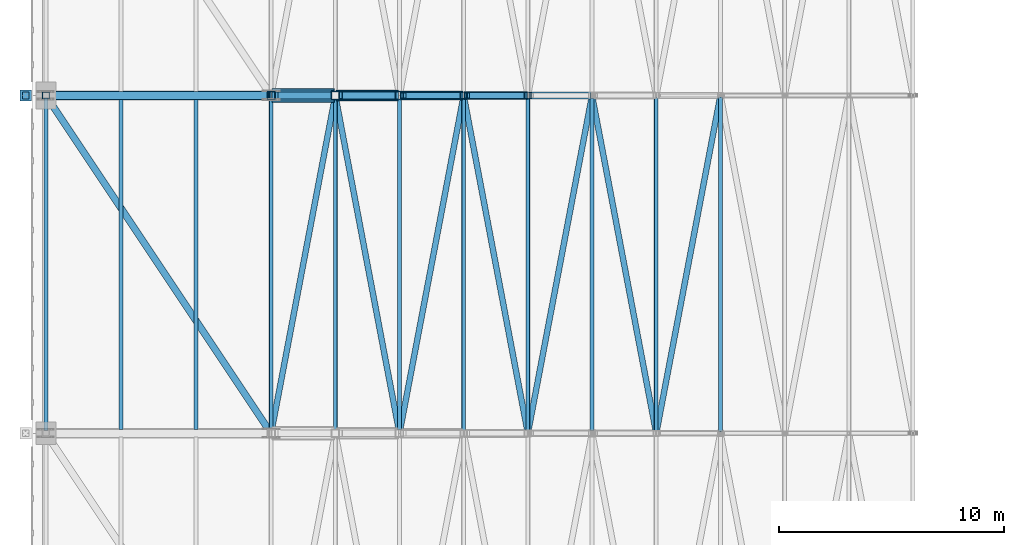
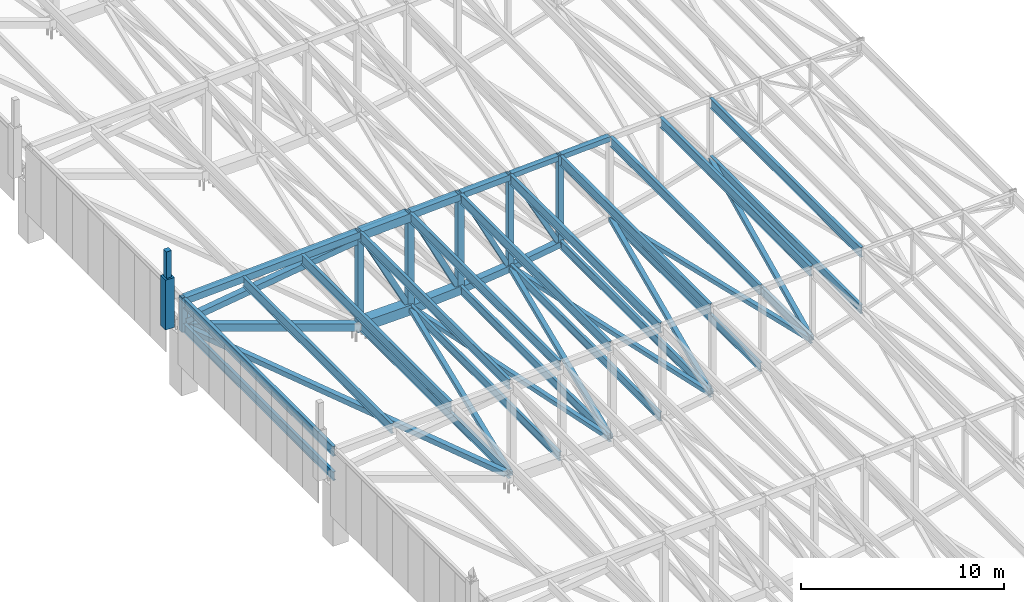
# One storey, part 38 of 278: 35 members, 17 beams.
"""IFC4 building model written with IfcOpenShell, lengths in metres."""

import ifcopenshell
import ifcopenshell.guid

model = None  # the IFC model being written
_history = None  # IfcOwnerHistory: only IFC2X3 demands one
_inside = {}  # id of a spatial element -> (the spatial element, [elements in it])
_under = {}  # id of a project, library or spatial element -> (it, [spatial elements below it])
_declared = {}  # id of a project -> (the project, [libraries it declares])
_typed = {}  # id of a type object -> (the type object, [elements of that type])
_made_of = {}  # id of a material, layer set ... -> (it, [elements and type objects made of it])


def new_model(schema):
    """Start an empty IFC model of exactly this schema.

    Asked for "IFC4X3", IfcOpenShell would pick the latest addendum, in which some entities
    have other attributes; the version numbers below select the first issue.
    IFC2X3 requires an IfcOwnerHistory on every rooted entity: one is made here for all.
    """
    global model, _history
    if schema == "IFC4X3":
        model = ifcopenshell.file(schema_version=(4, 3, 0, 0))
    else:
        model = ifcopenshell.file(schema=schema)
    _inside.clear()
    _under.clear()
    _declared.clear()
    _typed.clear()
    _made_of.clear()
    _history = None
    if model.schema == "IFC2X3":
        org = make("IfcOrganization", Name="unknown")
        user = make(
            "IfcPersonAndOrganization",
            ThePerson=make("IfcPerson", FamilyName="unknown"),
            TheOrganization=org,
        )
        app = make(
            "IfcApplication",
            ApplicationDeveloper=org,
            Version="unknown",
            ApplicationFullName="unknown",
            ApplicationIdentifier="unknown",
        )
        _history = make(
            "IfcOwnerHistory",
            OwningUser=user,
            OwningApplication=app,
            ChangeAction="ADDED",
            CreationDate=0,
        )
    return model


def make(cls, **values):
    """One entity of the class cls with the attributes given. An attribute that is None is left unset."""
    return model.create_entity(
        cls, **{name: value for name, value in values.items() if value is not None}
    )


def rooted(cls, **values):
    """An entity with a GlobalId (a new one), such as an element, a storey or a relation."""
    return make(cls, GlobalId=ifcopenshell.guid.new(), OwnerHistory=_history, **values)


def si_unit(unit_type, name, prefix=None):
    """IfcSIUnit, for example si_unit("LENGTHUNIT", "METRE", prefix="MILLI")."""
    return make("IfcSIUnit", UnitType=unit_type, Prefix=prefix, Name=name)


def assignment(units):
    """IfcUnitAssignment: the units of a project."""
    return None if units is None else make("IfcUnitAssignment", Units=units)


def point(xyz):
    """IfcCartesianPoint."""
    return None if xyz is None else make("IfcCartesianPoint", Coordinates=xyz)


def direction(xyz):
    """IfcDirection."""
    return None if xyz is None else make("IfcDirection", DirectionRatios=xyz)


def frame(location, z_axis=None, x_axis=None):
    """IfcAxis2Placement3D, a coordinate frame: its origin and axes. An axis left out is left unset."""
    return make(
        "IfcAxis2Placement3D",
        Location=point(location),
        Axis=direction(z_axis),
        RefDirection=direction(x_axis),
    )


def frame_2d(location, x_axis=None):
    """IfcAxis2Placement2D, a coordinate frame in the plane: its origin and x axis."""
    return make(
        "IfcAxis2Placement2D", Location=point(location), RefDirection=direction(x_axis)
    )


def origin():
    """The frame at (0, 0, 0) with its axes left unset."""
    return frame((0.0, 0.0, 0.0))


def origin_2d():
    """The frame at (0, 0) in the plane with its x axis left unset."""
    return frame_2d((0.0, 0.0))


def place(relative_to, where):
    """IfcLocalPlacement: puts the frame where relative to a parent placement (None: the world)."""
    return make(
        "IfcLocalPlacement", PlacementRelTo=relative_to, RelativePlacement=where
    )


def context(
    kind, dimensions, precision=None, world=None, true_north=None, identifier=None
):
    """IfcGeometricRepresentationContext, for example the 3D "Model" context."""
    return make(
        "IfcGeometricRepresentationContext",
        ContextIdentifier=identifier,
        ContextType=kind,
        CoordinateSpaceDimension=dimensions,
        Precision=precision,
        WorldCoordinateSystem=world,
        TrueNorth=true_north,
    )


def subcontext(parent, identifier, kind, view, scale=None):
    """IfcGeometricRepresentationSubContext, for example "Body" below "Model"."""
    return make(
        "IfcGeometricRepresentationSubContext",
        ContextIdentifier=identifier,
        ContextType=kind,
        ParentContext=parent,
        TargetScale=scale,
        TargetView=view,
    )


def project(units=None, contexts=None):
    """IfcProject with its units and contexts."""
    return rooted(
        "IfcProject",
        Name="project",
        RepresentationContexts=contexts,
        UnitsInContext=assignment(units),
    )


def spatial(cls, under=None, at=None, **own):
    """A site, building, storey or space (cls), placed at a placement, below another one or the project."""
    s = rooted(cls, ObjectPlacement=at, **own)
    if under is not None:
        _under.setdefault(under.id(), (under, []))[1].append(s)
    return s


def profile(cls, at=None, kind="AREA", **sizes):
    """A parametric profile (cls). Its sizes go by their IFC names, for example OverallWidth=200.0."""
    return make(cls, ProfileType=kind, Position=at, **sizes)


def rectangle(**sizes):
    """IfcRectangleProfileDef."""
    return profile("IfcRectangleProfileDef", **sizes)


def hollow_rectangle(**sizes):
    """IfcRectangleHollowProfileDef."""
    return profile("IfcRectangleHollowProfileDef", **sizes)


def i_section(**sizes):
    """IfcIShapeProfileDef."""
    return profile("IfcIShapeProfileDef", **sizes)


def extrude(swept, where, along, depth):
    """IfcExtrudedAreaSolid: the profile swept, set in the frame where, extruded along a direction by depth."""
    return make(
        "IfcExtrudedAreaSolid",
        SweptArea=swept,
        Position=where,
        ExtrudedDirection=direction(along),
        Depth=depth,
    )


def shape(context_of_items, identifier, shape_type, items):
    """IfcShapeRepresentation: the items that make up one representation, for example the "Body"."""
    return make(
        "IfcShapeRepresentation",
        ContextOfItems=context_of_items,
        RepresentationIdentifier=identifier,
        RepresentationType=shape_type,
        Items=items,
    )


def material(Name=None, Category=None):
    """IfcMaterial."""
    return make("IfcMaterial", Name=Name, Category=Category)


def material_profile(
    of_material, cross_section, Name=None, Category=None, Priority=None
):
    """IfcMaterialProfile: a cross section and its material."""
    return make(
        "IfcMaterialProfile",
        Name=Name,
        Material=of_material,
        Profile=cross_section,
        Priority=Priority,
        Category=Category,
    )


def profile_set(profiles, Name=None, composite=None):
    """IfcMaterialProfileSet."""
    return make(
        "IfcMaterialProfileSet",
        Name=Name,
        MaterialProfiles=profiles,
        CompositeProfile=composite,
    )


def made_of(thing, what):
    """Note that an element or type object is made of a material, layer set ...; save() writes the relation."""
    if what is not None:
        _made_of.setdefault(what.id(), (what, []))[1].append(thing)
    return thing


def type_object(cls, material=None, **own):
    """A type object (cls), such as IfcWallType, which elements share."""
    return made_of(rooted(cls, **own), material)


def element(
    cls,
    number,
    at=None,
    inside=None,
    cuts=None,
    type_object=None,
    material=None,
    context=None,
    identifier="Body",
    shape_type=None,
    held_by="IfcProductDefinitionShape",
    body=None,
    shapes=None,
    **own,
):
    """One element of the class cls, such as IfcWall. Its Tag is "e" and its number.

    at: its placement. inside: the storey or other place that contains it. cuts: it is an
    opening in that element (IfcRelVoidsElement). A single representation is given by context,
    identifier, shape_type and body (its items); several are given by shapes. held_by: the class
    of the entity that holds the representations. save() writes the other relations.
    """
    e = rooted(cls, Tag="e%d" % number, ObjectPlacement=at, **own)
    if body is not None:
        shapes = [shape(context, identifier, shape_type, body)]
    if shapes is not None:
        e.Representation = make(held_by, Representations=shapes)
    if inside is not None:
        _inside.setdefault(inside.id(), (inside, []))[1].append(e)
    if cuts is not None:
        rooted(
            "IfcRelVoidsElement", RelatingBuildingElement=cuts, RelatedOpeningElement=e
        )
    if type_object is not None:
        _typed.setdefault(type_object.id(), (type_object, []))[1].append(e)
    return made_of(e, material)


def aggregate(whole, parts):
    """IfcRelAggregates: a whole, such as a stair, and the parts it consists of."""
    return rooted("IfcRelAggregates", RelatingObject=whole, RelatedObjects=parts)


def save(model, path):
    """Write the relations noted so far, then the file.

    IfcRelAggregates (storeys below a building ...), IfcRelContainedInSpatialStructure (elements
    in a storey), IfcRelDefinesByType, IfcRelAssociatesMaterial and IfcRelDeclares: one each for
    every whole, place, type object, material and project.
    """
    for whole, parts in _under.values():
        aggregate(whole, parts)
    for where, things in _inside.values():
        rooted(
            "IfcRelContainedInSpatialStructure",
            RelatedElements=things,
            RelatingStructure=where,
        )
    for kind, things in _typed.values():
        rooted("IfcRelDefinesByType", RelatedObjects=things, RelatingType=kind)
    for what, things in _made_of.values():
        rooted("IfcRelAssociatesMaterial", RelatedObjects=things, RelatingMaterial=what)
    for by, libraries in _declared.values():
        rooted("IfcRelDeclares", RelatingContext=by, RelatedDefinitions=libraries)
    model.write(path)


model = new_model("IFC4")

# Units and contexts
model_context = context("Model", 3, precision=1e-05, world=origin(), true_north=direction((0.0, 1.0)))
body_context = subcontext(model_context, "Body", "Model", "MODEL_VIEW")
ifc_project = project(units=[si_unit("LENGTHUNIT", "METRE"), si_unit("AREAUNIT", "SQUARE_METRE"), si_unit("VOLUMEUNIT", "CUBIC_METRE"), si_unit("PLANEANGLEUNIT", "RADIAN"), si_unit("MASSUNIT", "GRAM", prefix="KILO")], contexts=[model_context])

# Site, building, storey
site_placement = place(None, origin())
site = spatial("IfcSite", under=ifc_project, at=site_placement, CompositionType="ELEMENT")
building_placement = place(site_placement, origin())
building = spatial("IfcBuilding", under=site, at=building_placement, Name="Ogive Plaza Stadium", CompositionType="ELEMENT")
storey_placement = place(building_placement, frame((0.0, 0.0, 29.0)))
storey = spatial("IfcBuildingStorey", under=building, at=storey_placement, Name="Roof", CompositionType="ELEMENT", Elevation=29.0)

# Members
ifc_material_1 = material(Name="Concrete C45/55 precast", Category="concrete")
ifc_material_profile_1 = material_profile(ifc_material_1, rectangle(XDim=0.5, YDim=0.5, at=origin_2d()), Name="RC 500x500")
ifc_profile_set_1 = profile_set([ifc_material_profile_1], Name="Concrete C45/55 precast")
member_type_1 = type_object("IfcMemberType", Name="Precast pinnacle 500x500", PredefinedType="POST", material=ifc_profile_set_1)
member_1_placement = place(storey_placement, frame((-84.89990234375, 22.5, 4.0), z_axis=(0.0, 0.0, 1.0), x_axis=(0.0, -1.0, 0.0)))
element("IfcMember", 1, at=member_1_placement, inside=storey, type_object=member_type_1, Name="PINNACLE R26", PredefinedType="POST", context=body_context, shape_type="SweptSolid", body=[
    extrude(rectangle(XDim=0.5, YDim=0.5, at=origin_2d()), origin(), (0.0, 0.0, 1.0), 3.0),
])
ifc_material_2 = material(Name="Concrete C45/55 precast", Category="concrete")
ifc_material_profile_2 = material_profile(ifc_material_2, rectangle(XDim=0.300048828125, YDim=0.300048828125, at=origin_2d()), Name="RC 300x300")
ifc_profile_set_2 = profile_set([ifc_material_profile_2], Name="Concrete C45/55 precast")
member_type_2 = type_object("IfcMemberType", Name="Precast spire 300x300", PredefinedType="MEMBER", material=ifc_profile_set_2)
member_2_placement = place(storey_placement, frame((-84.89990234375, 22.5, 7.0), z_axis=(0.0, 0.0, 1.0), x_axis=(0.0, -1.0, 0.0)))
element("IfcMember", 2, at=member_2_placement, inside=storey, type_object=member_type_2, Name="SPIRE R26", PredefinedType="MEMBER", context=body_context, shape_type="SweptSolid", body=[
    extrude(rectangle(XDim=0.300048828125, YDim=0.300048828125, at=origin_2d()), origin(), (0.0, 0.0, 1.0), 1.60009765625),
])
ifc_material_3 = material(Name="Steel ASTM A500 Grade C", Category="steel")
ifc_material_profile_3 = material_profile(ifc_material_3, hollow_rectangle(XDim=0.25390625, YDim=0.25390625, WallThickness=0.0087890625, at=origin_2d()), Name="HSS10X10X3/8")
ifc_profile_set_3 = profile_set([ifc_material_profile_3], Name="Steel ASTM A500 Grade C")
member_type_3 = type_object("IfcMemberType", Name="Roof plan brace HSS10X10X3/8", PredefinedType="BRACE", material=ifc_profile_set_3)
member_3_placement = place(storey_placement, frame((-54.068115234375, 22.404052734375, 3.27001953125), z_axis=(-0.186406461707, -0.981044003163, -0.052965034622), x_axis=(0.982422964001, -0.186668475654, 0.0)))
element("IfcMember", 3, at=member_3_placement, inside=storey, type_object=member_type_3, Name="ROOF BRACE B25 4", PredefinedType="BRACE", context=body_context, shape_type="SweptSolid", body=[
    extrude(hollow_rectangle(XDim=0.25390625, YDim=0.25390625, WallThickness=0.0087890625, at=origin_2d()), origin(), (0.0, 0.0, 1.0), 15.068359375),
])
member_4_placement = place(storey_placement, frame((-56.923095703125, 7.621337890625, 2.459716796875), z_axis=(-0.186461324063, 0.981373677857, -0.046237204039), x_axis=(-0.982424391989, -0.186660960097, 0.0)))
element("IfcMember", 4, at=member_4_placement, inside=storey, type_object=member_type_3, Name="ROOF BRACE B25 5", PredefinedType="BRACE", context=body_context, shape_type="SweptSolid", body=[
    extrude(hollow_rectangle(XDim=0.25390625, YDim=0.25390625, WallThickness=0.0087890625, at=origin_2d()), origin(), (0.0, 0.0, 1.0), 15.011474609375),
])
member_5_placement = place(storey_placement, frame((-59.77783203125, 22.353271484375, 1.753173828125), z_axis=(-0.186534960176, -0.981781820104, -0.036182403809), x_axis=(0.982425109661, -0.186657182843, 0.0)))
element("IfcMember", 5, at=member_5_placement, inside=storey, type_object=member_type_3, Name="ROOF BRACE B25 6", PredefinedType="BRACE", context=body_context, shape_type="SweptSolid", body=[
    extrude(hollow_rectangle(XDim=0.25390625, YDim=0.25390625, WallThickness=0.0087890625, at=origin_2d()), origin(), (0.0, 0.0, 1.0), 14.9794921875),
])
member_6_placement = place(storey_placement, frame((-62.6279296875, 7.646728515625, 1.20166015625), z_axis=(-0.186585145076, 0.982045956233, -0.027779911508), x_axis=(-0.982425109661, -0.186657182843, 0.0)))
element("IfcMember", 6, at=member_6_placement, inside=storey, type_object=member_type_3, Name="ROOF BRACE B25 7", PredefinedType="BRACE", context=body_context, shape_type="SweptSolid", body=[
    extrude(hollow_rectangle(XDim=0.25390625, YDim=0.25390625, WallThickness=0.0087890625, at=origin_2d()), origin(), (0.0, 0.0, 1.0), 14.975341796875),
])
member_7_placement = place(storey_placement, frame((-65.477783203125, 22.353271484375, 0.77880859375), z_axis=(-0.186639895054, -0.982268812283, -0.017706778071), x_axis=(0.982422833867, -0.186669160538, 0.0)))
element("IfcMember", 7, at=member_7_placement, inside=storey, type_object=member_type_3, Name="ROOF BRACE B25 8", PredefinedType="BRACE", context=body_context, shape_type="SweptSolid", body=[
    extrude(hollow_rectangle(XDim=0.25390625, YDim=0.25390625, WallThickness=0.0087890625, at=origin_2d()), origin(), (0.0, 0.0, 1.0), 14.946044921875),
])
member_8_placement = place(storey_placement, frame((-68.332763671875, 7.672119140625, 0.50927734375), z_axis=(-0.186657320186, 0.982381109131, -0.009295226886), x_axis=(-0.982423551356, -0.186665384421, 0.0)))
element("IfcMember", 8, at=member_8_placement, inside=storey, type_object=member_type_3, Name="ROOF BRACE B25 9", PredefinedType="BRACE", context=body_context, shape_type="SweptSolid", body=[
    extrude(hollow_rectangle(XDim=0.25390625, YDim=0.25390625, WallThickness=0.0087890625, at=origin_2d()), origin(), (0.0, 0.0, 1.0), 14.918701171875),
])
member_9_placement = place(storey_placement, frame((-71.1826171875, 22.327880859375, 0.368408203125), z_axis=(-0.186663720517, -0.982414794197, -0.004222272479), x_axis=(0.982423551356, -0.186665384421, 0.0)))
element("IfcMember", 9, at=member_9_placement, inside=storey, type_object=member_type_3, Name="ROOF BRACE B25 10", PredefinedType="BRACE", context=body_context, shape_type="SweptSolid", body=[
    extrude(hollow_rectangle(XDim=0.25390625, YDim=0.25390625, WallThickness=0.0087890625, at=origin_2d()), origin(), (0.0, 0.0, 1.0), 14.918212890625),
])
ifc_material_4 = material(Name="Steel ASTM A500 Grade C", Category="steel")
ifc_material_profile_4 = material_profile(ifc_material_4, hollow_rectangle(XDim=0.3046875, YDim=0.3046875, WallThickness=0.0087890625, at=origin_2d()), Name="HSS12X12X3/8")
ifc_profile_set_4 = profile_set([ifc_material_profile_4], Name="Steel ASTM A500 Grade C")
member_type_4 = type_object("IfcMemberType", Name="Roof plan brace HSS12X12X3/8", PredefinedType="BRACE", material=ifc_profile_set_4)
member_10_placement = place(storey_placement, frame((-74.158203125, 7.7373046875, 0.358642578125), z_axis=(-0.545096233751, 0.817651210116, 0.185247387419), x_axis=(-0.832052442118, -0.554696974542, 0.0)))
element("IfcMember", 10, at=member_10_placement, inside=storey, type_object=member_type_4, Name="ROOF BRACE B25 11", PredefinedType="BRACE", context=body_context, shape_type="SweptSolid", body=[
    extrude(hollow_rectangle(XDim=0.3046875, YDim=0.3046875, WallThickness=0.0087890625, at=origin_2d()), origin(), (0.0, 0.0, 1.0), 17.7958984375),
])
ifc_material_5 = material(Name="Steel ASTM A992 Grade 50", Category="steel")
ifc_material_profile_5 = material_profile(ifc_material_5, i_section(OverallWidth=0.1650390625, OverallDepth=0.524658203125, WebThickness=0.0087890625, FlangeThickness=0.011474609375, at=origin_2d()), Name="W21X44")
ifc_profile_set_5 = profile_set([ifc_material_profile_5], Name="Steel ASTM A992 Grade 50")
member_type_5 = type_object("IfcMemberType", Name="Roof plan strut W21X44", PredefinedType="STRUT", material=ifc_profile_set_5)
member_11_placement = place(storey_placement, frame((-54.050048828125, 7.571533203125, 3.275146484375), z_axis=(0.0, 1.0, 0.0), x_axis=(-1.0, 0.0, 0.0)))
element("IfcMember", 11, at=member_11_placement, inside=storey, type_object=member_type_5, Name="ROOF STRUT B25 3", PredefinedType="STRUT", context=body_context, shape_type="SweptSolid", body=[
    extrude(i_section(OverallWidth=0.1650390625, OverallDepth=0.524658203125, WebThickness=0.0087890625, FlangeThickness=0.011474609375, at=origin_2d()), origin(), (0.0, 0.0, 1.0), 14.85693359375),
])
member_12_placement = place(storey_placement, frame((-56.89990234375, 7.596923828125, 2.46533203125), z_axis=(0.0, 1.0, 0.0), x_axis=(-1.0, 0.0, 0.0)))
element("IfcMember", 12, at=member_12_placement, inside=storey, type_object=member_type_5, Name="ROOF STRUT B25 4", PredefinedType="STRUT", context=body_context, shape_type="SweptSolid", body=[
    extrude(i_section(OverallWidth=0.1650390625, OverallDepth=0.524658203125, WebThickness=0.0087890625, FlangeThickness=0.011474609375, at=origin_2d()), origin(), (0.0, 0.0, 1.0), 14.80615234375),
])
for number, where, z_axis, x_axis, name in (
    (13, (-59.75, 7.622314453125, 1.758544921875), (0.0, 1.0, 0.0), (-1.0, 0.0, 0.0), "ROOF STRUT B25 5"),
    (14, (-62.60009765625, 7.622314453125, 1.205810546875), (0.0, 1.0, 0.0), (-1.0, 0.0, 0.0), "ROOF STRUT B25 6"),
    (15, (-65.449951171875, 7.622314453125, 0.781494140625), (0.0, 1.0, 0.0), (-1.0, 0.0, 0.0), "ROOF STRUT B25 7"),
):
    element("IfcMember", number, at=place(storey_placement, frame(where, z_axis=z_axis, x_axis=x_axis)), inside=storey, type_object=member_type_5, Name=name, PredefinedType="STRUT", context=body_context, shape_type="SweptSolid", body=[
        extrude(i_section(OverallWidth=0.1650390625, OverallDepth=0.524658203125, WebThickness=0.0087890625, FlangeThickness=0.011474609375, at=origin_2d()), origin(), (0.0, 0.0, 1.0), 14.75537109375),
    ])
for number, where, z_axis, x_axis, name in (
    (16, (-68.300048828125, 7.647705078125, 0.510986328125), (0.0, 1.0, 0.0), (-1.0, 0.0, 0.0), "ROOF STRUT B25 8"),
    (17, (-71.14990234375, 7.647705078125, 0.369140625), (0.0, 1.0, 0.0), (-1.0, 0.0, 0.0), "ROOF STRUT B25 9"),
    (18, (-74.0, 7.647705078125, 0.3046875), (0.0, 1.0, 0.0), (-1.0, 0.0, 0.0), "ROOF STRUT B25 10"),
):
    element("IfcMember", number, at=place(storey_placement, frame(where, z_axis=z_axis, x_axis=x_axis)), inside=storey, type_object=member_type_5, Name=name, PredefinedType="STRUT", context=body_context, shape_type="SweptSolid", body=[
        extrude(i_section(OverallWidth=0.1650390625, OverallDepth=0.524658203125, WebThickness=0.0087890625, FlangeThickness=0.011474609375, at=origin_2d()), origin(), (0.0, 0.0, 1.0), 14.70458984375),
    ])
member_13_placement = place(storey_placement, frame((-84.0, 7.622314453125, 3.703125), z_axis=(0.0, 1.0, 0.0), x_axis=(-1.0, 0.0, 0.0)))
element("IfcMember", 19, at=member_13_placement, inside=storey, type_object=member_type_5, Name="ROOF STRUT B25 11", PredefinedType="STRUT", context=body_context, shape_type="SweptSolid", body=[
    extrude(i_section(OverallWidth=0.1650390625, OverallDepth=0.524658203125, WebThickness=0.0087890625, FlangeThickness=0.011474609375, at=origin_2d()), origin(), (0.0, 0.0, 1.0), 14.75537109375),
])
ifc_material_6 = material(Name="Steel ASTM A992 Grade 50", Category="steel")
ifc_material_profile_6 = material_profile(ifc_material_6, i_section(OverallWidth=0.177978515625, OverallDepth=0.5986328125, WebThickness=0.010009765625, FlangeThickness=0.012939453125, at=origin_2d()), Name="W24X55")
ifc_profile_set_6 = profile_set([ifc_material_profile_6], Name="Steel ASTM A992 Grade 50")
member_type_6 = type_object("IfcMemberType", Name="Roof purlin W24X55", PredefinedType="PURLIN", material=ifc_profile_set_6)
member_14_placement = place(storey_placement, frame((-54.050048828125, 7.571533203125, 6.6982421875), z_axis=(0.0, 1.0, 0.0), x_axis=(-1.0, 0.0, 0.0)))
element("IfcMember", 20, at=member_14_placement, inside=storey, type_object=member_type_6, Name="ROOF PURLIN B25 3", PredefinedType="PURLIN", context=body_context, shape_type="SweptSolid", body=[
    extrude(i_section(OverallWidth=0.177978515625, OverallDepth=0.5986328125, WebThickness=0.010009765625, FlangeThickness=0.012939453125, at=origin_2d()), origin(), (0.0, 0.0, 1.0), 14.85693359375),
])
member_15_placement = place(storey_placement, frame((-56.89990234375, 7.596923828125, 6.5556640625), z_axis=(0.0, 1.0, 0.0), x_axis=(-1.0, 0.0, 0.0)))
element("IfcMember", 21, at=member_15_placement, inside=storey, type_object=member_type_6, Name="ROOF PURLIN B25 4", PredefinedType="PURLIN", context=body_context, shape_type="SweptSolid", body=[
    extrude(i_section(OverallWidth=0.177978515625, OverallDepth=0.5986328125, WebThickness=0.010009765625, FlangeThickness=0.012939453125, at=origin_2d()), origin(), (0.0, 0.0, 1.0), 14.80615234375),
])
for number, where, z_axis, x_axis, name in (
    (22, (-59.75, 7.622314453125, 6.4130859375), (0.0, 1.0, 0.0), (-1.0, 0.0, 0.0), "ROOF PURLIN B25 5"),
    (23, (-62.60009765625, 7.622314453125, 6.270751953125), (0.0, 1.0, 0.0), (-1.0, 0.0, 0.0), "ROOF PURLIN B25 6"),
    (24, (-65.449951171875, 7.622314453125, 6.128173828125), (0.0, 1.0, 0.0), (-1.0, 0.0, 0.0), "ROOF PURLIN B25 7"),
):
    element("IfcMember", number, at=place(storey_placement, frame(where, z_axis=z_axis, x_axis=x_axis)), inside=storey, type_object=member_type_6, Name=name, PredefinedType="PURLIN", context=body_context, shape_type="SweptSolid", body=[
        extrude(i_section(OverallWidth=0.177978515625, OverallDepth=0.5986328125, WebThickness=0.010009765625, FlangeThickness=0.012939453125, at=origin_2d()), origin(), (0.0, 0.0, 1.0), 14.75537109375),
    ])
for number, where, z_axis, x_axis, name in (
    (25, (-68.300048828125, 7.647705078125, 5.985595703125), (0.0, 1.0, 0.0), (-1.0, 0.0, 0.0), "ROOF PURLIN B25 8"),
    (26, (-71.14990234375, 7.647705078125, 5.84326171875), (0.0, 1.0, 0.0), (-1.0, 0.0, 0.0), "ROOF PURLIN B25 9"),
    (27, (-74.0, 7.647705078125, 5.70068359375), (0.0, 1.0, 0.0), (-1.0, 0.0, 0.0), "ROOF PURLIN B25 10"),
):
    element("IfcMember", number, at=place(storey_placement, frame(where, z_axis=z_axis, x_axis=x_axis)), inside=storey, type_object=member_type_6, Name=name, PredefinedType="PURLIN", context=body_context, shape_type="SweptSolid", body=[
        extrude(i_section(OverallWidth=0.177978515625, OverallDepth=0.5986328125, WebThickness=0.010009765625, FlangeThickness=0.012939453125, at=origin_2d()), origin(), (0.0, 0.0, 1.0), 14.70458984375),
    ])
for number, where, z_axis, x_axis, name in (
    (28, (-77.333251953125, 7.673095703125, 5.533935546875), (0.0, 1.0, 0.0), (-1.0, 0.0, 0.0), "ROOF PURLIN B25 11"),
    (29, (-80.666748046875, 7.673095703125, 5.367431640625), (0.0, 1.0, 0.0), (-1.0, 0.0, 0.0), "ROOF PURLIN B25 12"),
):
    element("IfcMember", number, at=place(storey_placement, frame(where, z_axis=z_axis, x_axis=x_axis)), inside=storey, type_object=member_type_6, Name=name, PredefinedType="PURLIN", context=body_context, shape_type="SweptSolid", body=[
        extrude(i_section(OverallWidth=0.177978515625, OverallDepth=0.5986328125, WebThickness=0.010009765625, FlangeThickness=0.012939453125, at=origin_2d()), origin(), (0.0, 0.0, 1.0), 14.65380859375),
    ])
member_16_placement = place(storey_placement, frame((-84.0, 7.622314453125, 5.20068359375), z_axis=(0.0, 1.0, 0.0), x_axis=(-1.0, 0.0, 0.0)))
element("IfcMember", 30, at=member_16_placement, inside=storey, type_object=member_type_6, Name="ROOF PURLIN B25 13", PredefinedType="PURLIN", context=body_context, shape_type="SweptSolid", body=[
    extrude(i_section(OverallWidth=0.177978515625, OverallDepth=0.5986328125, WebThickness=0.010009765625, FlangeThickness=0.012939453125, at=origin_2d()), origin(), (0.0, 0.0, 1.0), 14.75537109375),
])

# Beams
ifc_material_7 = material(Name="Steel ASTM A500 Grade C", Category="steel")
ifc_material_profile_7 = material_profile(ifc_material_7, hollow_rectangle(XDim=0.406494140625, YDim=0.406494140625, WallThickness=0.0146484375, at=origin_2d()), Name="HSS16X16X5/8")
ifc_profile_set_7 = profile_set([ifc_material_profile_7], Name="Steel ASTM A500 Grade C")
beam_type_1 = type_object("IfcBeamType", Name="Roof truss back-span bottom chord HSS16X16X5/8", PredefinedType="BEAM", material=ifc_profile_set_7)
beam_1_placement = place(storey_placement, frame((-74.050048828125, 22.5, 0.232666015625), z_axis=(-0.943851085966, 0.0, 0.330371196567), x_axis=(0.0, -1.0, 0.0)))
element("IfcBeam", 31, at=beam_1_placement, inside=storey, type_object=beam_type_1, Name="ROOF TRUSS T26 BOTTOM CHORD 11", PredefinedType="BEAM", context=body_context, shape_type="SweptSolid", body=[
    extrude(hollow_rectangle(XDim=0.406494140625, YDim=0.406494140625, WallThickness=0.0146484375, at=origin_2d()), origin(), (0.0, 0.0, 1.0), 10.470703125),
])
ifc_material_8 = material(Name="Steel ASTM A500 Grade C", Category="steel")
ifc_material_profile_8 = material_profile(ifc_material_8, hollow_rectangle(XDim=0.406494140625, YDim=0.406494140625, WallThickness=0.0146484375, at=origin_2d()), Name="HSS16X16X5/8")
ifc_profile_set_8 = profile_set([ifc_material_profile_8], Name="Steel ASTM A500 Grade C")
beam_type_2 = type_object("IfcBeamType", Name="Roof truss back-span top chord HSS16X16X5/8", PredefinedType="BEAM", material=ifc_profile_set_8)
beam_2_placement = place(storey_placement, frame((-74.050048828125, 22.5, 5.7939453125), z_axis=(-0.998752953021, 0.0, -0.049925332571), x_axis=(0.0, -1.0, 0.0)))
element("IfcBeam", 32, at=beam_2_placement, inside=storey, type_object=beam_type_2, Name="ROOF TRUSS T26 TOP CHORD 11", PredefinedType="BEAM", context=body_context, shape_type="SweptSolid", body=[
    extrude(hollow_rectangle(XDim=0.406494140625, YDim=0.406494140625, WallThickness=0.0146484375, at=origin_2d()), origin(), (0.0, 0.0, 1.0), 9.912353515625),
])

# Member
ifc_material_9 = material(Name="Steel ASTM A500 Grade C", Category="steel")
ifc_material_profile_9 = material_profile(ifc_material_9, hollow_rectangle(XDim=0.355712890625, YDim=0.355712890625, WallThickness=0.0146484375, at=origin_2d()), Name="HSS14X14X5/8")
ifc_profile_set_9 = profile_set([ifc_material_profile_9], Name="Steel ASTM A500 Grade C")
member_type_7 = type_object("IfcMemberType", Name="Roof truss back-stay HSS14X14X5/8", PredefinedType="BRACE", material=ifc_profile_set_9)
member_17_placement = place(storey_placement, frame((-74.093017578125, 22.5, 5.45654296875), z_axis=(-0.989844100519, 0.0, -0.142157154826), x_axis=(0.0, -1.0, 0.0)))
element("IfcMember", 33, at=member_17_placement, inside=storey, type_object=member_type_7, Name="BACK-STAY T26", PredefinedType="BRACE", context=body_context, shape_type="SweptSolid", body=[
    extrude(hollow_rectangle(XDim=0.355712890625, YDim=0.355712890625, WallThickness=0.0146484375, at=origin_2d()), origin(), (0.0, 0.0, 1.0), 9.9404296875),
])

# Beams
ifc_material_10 = material(Name="Steel ASTM A500 Grade C", Category="steel")
ifc_material_profile_10 = material_profile(ifc_material_10, hollow_rectangle(XDim=0.355712890625, YDim=0.355712890625, WallThickness=0.0146484375, at=origin_2d()), Name="HSS14X14X5/8")
ifc_profile_set_10 = profile_set([ifc_material_profile_10], Name="Steel ASTM A500 Grade C")
beam_type_3 = type_object("IfcBeamType", Name="Roof truss bottom chord HSS14X14X5/8", PredefinedType="BEAM", material=ifc_profile_set_10)
beam_3_placement = place(storey_placement, frame((-62.64990234375, 22.5, 1.2001953125), z_axis=(-0.987770074518, 0.0, -0.155917541947), x_axis=(0.0, -1.0, 0.0)))
element("IfcBeam", 34, at=beam_3_placement, inside=storey, type_object=beam_type_3, Name="ROOF TRUSS T26 BOTTOM CHORD 7", PredefinedType="BEAM", context=body_context, shape_type="SweptSolid", body=[
    extrude(hollow_rectangle(XDim=0.355712890625, YDim=0.355712890625, WallThickness=0.0146484375, at=origin_2d()), origin(), (0.0, 0.0, 1.0), 2.783935546875),
])
ifc_material_11 = material(Name="Steel ASTM A500 Grade C", Category="steel")
ifc_material_profile_11 = material_profile(ifc_material_11, hollow_rectangle(XDim=0.406494140625, YDim=0.406494140625, WallThickness=0.0146484375, at=origin_2d()), Name="HSS16X16X5/8")
ifc_profile_set_11 = profile_set([ifc_material_profile_11], Name="Steel ASTM A500 Grade C")
beam_type_4 = type_object("IfcBeamType", Name="Roof truss bottom chord HSS16X16X5/8", PredefinedType="BEAM", material=ifc_profile_set_11)
beam_4_placement = place(storey_placement, frame((-65.5, 22.5, 0.777099609375), z_axis=(-0.993703844406, 0.0, -0.112038696946), x_axis=(0.0, -1.0, 0.0)))
element("IfcBeam", 35, at=beam_4_placement, inside=storey, type_object=beam_type_4, Name="ROOF TRUSS T26 BOTTOM CHORD 8", PredefinedType="BEAM", context=body_context, shape_type="SweptSolid", body=[
    extrude(hollow_rectangle(XDim=0.406494140625, YDim=0.406494140625, WallThickness=0.0146484375, at=origin_2d()), origin(), (0.0, 0.0, 1.0), 2.767333984375),
])
ifc_material_12 = material(Name="Steel ASTM A500 Grade C", Category="steel")
ifc_material_profile_12 = material_profile(ifc_material_12, hollow_rectangle(XDim=0.508056640625, YDim=0.508056640625, WallThickness=0.0146484375, at=origin_2d()), Name="HSS20X20X5/8")
ifc_profile_set_12 = profile_set([ifc_material_profile_12], Name="Steel ASTM A500 Grade C")
beam_type_5 = type_object("IfcBeamType", Name="Roof truss bottom chord HSS20X20X5/8", PredefinedType="BEAM", material=ifc_profile_set_12)
beam_5_placement = place(storey_placement, frame((-68.35009765625, 22.5, 0.50830078125), z_axis=(-0.997719620387, 0.0, -0.06749488199), x_axis=(0.0, -1.0, 0.0)))
element("IfcBeam", 36, at=beam_5_placement, inside=storey, type_object=beam_type_5, Name="ROOF TRUSS T26 BOTTOM CHORD 9", PredefinedType="BEAM", context=body_context, shape_type="SweptSolid", body=[
    extrude(hollow_rectangle(XDim=0.508056640625, YDim=0.508056640625, WallThickness=0.0146484375, at=origin_2d()), origin(), (0.0, 0.0, 1.0), 2.75634765625),
])
ifc_material_13 = material(Name="Steel ASTM A500 Grade C", Category="steel")
ifc_material_profile_13 = material_profile(ifc_material_13, hollow_rectangle(XDim=0.609619140625, YDim=0.609619140625, WallThickness=0.0146484375, at=origin_2d()), Name="HSS24X24X5/8")
ifc_profile_set_13 = profile_set([ifc_material_profile_13], Name="Steel ASTM A500 Grade C")
beam_type_6 = type_object("IfcBeamType", Name="Roof truss bottom chord HSS24X24X5/8", PredefinedType="BEAM", material=ifc_profile_set_13)
beam_6_placement = place(storey_placement, frame((-71.199951171875, 22.5, 0.367919921875), z_axis=(-0.999745852076, 0.0, -0.022543984946), x_axis=(0.0, -1.0, 0.0)))
element("IfcBeam", 37, at=beam_6_placement, inside=storey, type_object=beam_type_6, Name="ROOF TRUSS T26 BOTTOM CHORD 10", PredefinedType="BEAM", context=body_context, shape_type="SweptSolid", body=[
    extrude(hollow_rectangle(XDim=0.609619140625, YDim=0.609619140625, WallThickness=0.0146484375, at=origin_2d()), origin(), (0.0, 0.0, 1.0), 2.750732421875),
])

# Members
ifc_material_14 = material(Name="Steel ASTM A500 Grade C", Category="steel")
ifc_material_profile_14 = material_profile(ifc_material_14, hollow_rectangle(XDim=0.25390625, YDim=0.25390625, WallThickness=0.0087890625, at=origin_2d()), Name="HSS10X10X3/8")
ifc_profile_set_14 = profile_set([ifc_material_profile_14], Name="Steel ASTM A500 Grade C")
member_type_8 = type_object("IfcMemberType", Name="Roof truss diagonal HSS10X10X3/8", PredefinedType="BRACE", material=ifc_profile_set_14)
member_18_placement = place(storey_placement, frame((-62.75244140625, 22.5, 1.383544921875), z_axis=(-0.473127942579, 0.0, 0.880993728667), x_axis=(0.0, -1.0, 0.0)))
element("IfcMember", 38, at=member_18_placement, inside=storey, type_object=member_type_8, Name="ROOF TRUSS T26 DIAGONAL 7", PredefinedType="BRACE", context=body_context, shape_type="SweptSolid", body=[
    extrude(hollow_rectangle(XDim=0.25390625, YDim=0.25390625, WallThickness=0.0087890625, at=origin_2d()), origin(), (0.0, 0.0, 1.0), 5.37939453125),
])
member_19_placement = place(storey_placement, frame((-65.602294921875, 22.5, 0.984619140625), z_axis=(-0.454062843231, 0.0, 0.890969659639), x_axis=(0.0, -1.0, 0.0)))
element("IfcMember", 39, at=member_19_placement, inside=storey, type_object=member_type_8, Name="ROOF TRUSS T26 DIAGONAL 8", PredefinedType="BRACE", context=body_context, shape_type="SweptSolid", body=[
    extrude(hollow_rectangle(XDim=0.25390625, YDim=0.25390625, WallThickness=0.0087890625, at=origin_2d()), origin(), (0.0, 0.0, 1.0), 5.550048828125),
])
ifc_material_15 = material(Name="Steel ASTM A500 Grade C", Category="steel")
ifc_material_profile_15 = material_profile(ifc_material_15, hollow_rectangle(XDim=0.3046875, YDim=0.3046875, WallThickness=0.0087890625, at=origin_2d()), Name="HSS12X12X3/8")
ifc_profile_set_15 = profile_set([ifc_material_profile_15], Name="Steel ASTM A500 Grade C")
member_type_9 = type_object("IfcMemberType", Name="Roof truss diagonal HSS12X12X3/8", PredefinedType="BRACE", material=ifc_profile_set_15)
member_20_placement = place(storey_placement, frame((-68.477783203125, 22.5, 0.764892578125), z_axis=(-0.448477330766, 0.0, 0.893794206621), x_axis=(0.0, -1.0, 0.0)))
element("IfcMember", 40, at=member_20_placement, inside=storey, type_object=member_type_9, Name="ROOF TRUSS T26 DIAGONAL 9", PredefinedType="BRACE", context=body_context, shape_type="SweptSolid", body=[
    extrude(hollow_rectangle(XDim=0.3046875, YDim=0.3046875, WallThickness=0.0087890625, at=origin_2d()), origin(), (0.0, 0.0, 1.0), 5.56201171875),
])
member_21_placement = place(storey_placement, frame((-71.327880859375, 22.5, 0.673828125), z_axis=(-0.459750963822, 0.0, 0.888047887934), x_axis=(0.0, -1.0, 0.0)))
element("IfcMember", 41, at=member_21_placement, inside=storey, type_object=member_type_9, Name="ROOF TRUSS T26 DIAGONAL 10", PredefinedType="BRACE", context=body_context, shape_type="SweptSolid", body=[
    extrude(hollow_rectangle(XDim=0.3046875, YDim=0.3046875, WallThickness=0.0087890625, at=origin_2d()), origin(), (0.0, 0.0, 1.0), 5.425537109375),
])

# Beams
ifc_material_16 = material(Name="Steel ASTM A500 Grade C", Category="steel")
ifc_material_profile_16 = material_profile(ifc_material_16, hollow_rectangle(XDim=0.3046875, YDim=0.3046875, WallThickness=0.01171875, at=origin_2d()), Name="HSS12X12X1/2")
ifc_profile_set_16 = profile_set([ifc_material_profile_16], Name="Steel ASTM A500 Grade C")
beam_type_7 = type_object("IfcBeamType", Name="Roof truss post HSS12X12X1/2", PredefinedType="BEAM", material=ifc_profile_set_16)
beam_7_placement = place(storey_placement, frame((-84.0, 22.5, 3.43994140625), z_axis=(0.0, 0.0, 1.0), x_axis=(0.0, -1.0, 0.0)))
element("IfcBeam", 42, at=beam_7_placement, inside=storey, type_object=beam_type_7, Name="ROOF TRUSS T26 POST 12", PredefinedType="BEAM", context=body_context, shape_type="SweptSolid", body=[
    extrude(hollow_rectangle(XDim=0.3046875, YDim=0.3046875, WallThickness=0.01171875, at=origin_2d()), origin(), (0.0, 0.0, 1.0), 2.06005859375),
])
ifc_material_17 = material(Name="Steel ASTM A500 Grade C", Category="steel")
ifc_material_profile_17 = material_profile(ifc_material_17, hollow_rectangle(XDim=0.3046875, YDim=0.3046875, WallThickness=0.0146484375, at=origin_2d()), Name="HSS12X12X5/8")
ifc_profile_set_17 = profile_set([ifc_material_profile_17], Name="Steel ASTM A500 Grade C")
beam_type_8 = type_object("IfcBeamType", Name="Roof truss post HSS12X12X5/8", PredefinedType="BEAM", material=ifc_profile_set_17)
beam_8_placement = place(storey_placement, frame((-62.60009765625, 22.5, 1.028076171875), z_axis=(0.0, 0.0, 1.0), x_axis=(0.0, -1.0, 0.0)))
element("IfcBeam", 43, at=beam_8_placement, inside=storey, type_object=beam_type_8, Name="ROOF TRUSS T26 POST 7", PredefinedType="BEAM", context=body_context, shape_type="SweptSolid", body=[
    extrude(hollow_rectangle(XDim=0.3046875, YDim=0.3046875, WallThickness=0.0146484375, at=origin_2d()), origin(), (0.0, 0.0, 1.0), 5.5419921875),
])
beam_9_placement = place(storey_placement, frame((-65.449951171875, 22.5, 0.578369140625), z_axis=(0.0, 0.0, 1.0), x_axis=(0.0, -1.0, 0.0)))
element("IfcBeam", 44, at=beam_9_placement, inside=storey, type_object=beam_type_8, Name="ROOF TRUSS T26 POST 8", PredefinedType="BEAM", context=body_context, shape_type="SweptSolid", body=[
    extrude(hollow_rectangle(XDim=0.3046875, YDim=0.3046875, WallThickness=0.0146484375, at=origin_2d()), origin(), (0.0, 0.0, 1.0), 5.84912109375),
])
ifc_material_18 = material(Name="Steel ASTM A500 Grade C", Category="steel")
ifc_material_profile_18 = material_profile(ifc_material_18, hollow_rectangle(XDim=0.355712890625, YDim=0.355712890625, WallThickness=0.0146484375, at=origin_2d()), Name="HSS14X14X5/8")
ifc_profile_set_18 = profile_set([ifc_material_profile_18], Name="Steel ASTM A500 Grade C")
beam_type_9 = type_object("IfcBeamType", Name="Roof truss post HSS14X14X5/8", PredefinedType="BEAM", material=ifc_profile_set_18)
beam_10_placement = place(storey_placement, frame((-68.300048828125, 22.5, 0.257080078125), z_axis=(0.0, 0.0, 1.0), x_axis=(0.0, -1.0, 0.0)))
element("IfcBeam", 45, at=beam_10_placement, inside=storey, type_object=beam_type_9, Name="ROOF TRUSS T26 POST 9", PredefinedType="BEAM", context=body_context, shape_type="SweptSolid", body=[
    extrude(hollow_rectangle(XDim=0.355712890625, YDim=0.355712890625, WallThickness=0.0146484375, at=origin_2d()), origin(), (0.0, 0.0, 1.0), 6.02783203125),
])
beam_11_placement = place(storey_placement, frame((-71.14990234375, 22.5, 0.064208984375), z_axis=(0.0, 0.0, 1.0), x_axis=(0.0, -1.0, 0.0)))
element("IfcBeam", 46, at=beam_11_placement, inside=storey, type_object=beam_type_9, Name="ROOF TRUSS T26 POST 10", PredefinedType="BEAM", context=body_context, shape_type="SweptSolid", body=[
    extrude(hollow_rectangle(XDim=0.355712890625, YDim=0.355712890625, WallThickness=0.0146484375, at=origin_2d()), origin(), (0.0, 0.0, 1.0), 6.078369140625),
])
beam_12_placement = place(storey_placement, frame((-74.0, 22.5, -0.06005859375), z_axis=(0.0, 0.0, 1.0), x_axis=(0.0, -1.0, 0.0)))
element("IfcBeam", 47, at=beam_12_placement, inside=storey, type_object=beam_type_9, Name="ROOF TRUSS T26 POST 11", PredefinedType="BEAM", context=body_context, shape_type="SweptSolid", body=[
    extrude(hollow_rectangle(XDim=0.355712890625, YDim=0.355712890625, WallThickness=0.0146484375, at=origin_2d()), origin(), (0.0, 0.0, 1.0), 6.06005859375),
])
ifc_material_19 = material(Name="Steel ASTM A500 Grade C", Category="steel")
ifc_material_profile_19 = material_profile(ifc_material_19, hollow_rectangle(XDim=0.3046875, YDim=0.3046875, WallThickness=0.01171875, at=origin_2d()), Name="HSS12X12X1/2")
ifc_profile_set_19 = profile_set([ifc_material_profile_19], Name="Steel ASTM A500 Grade C")
beam_type_10 = type_object("IfcBeamType", Name="Roof truss top chord HSS12X12X1/2", PredefinedType="BEAM", material=ifc_profile_set_19)
beam_13_placement = place(storey_placement, frame((-62.64990234375, 22.5, 6.414794921875), z_axis=(-0.998753223187, 0.0, -0.049919927615), x_axis=(0.0, -1.0, 0.0)))
element("IfcBeam", 48, at=beam_13_placement, inside=storey, type_object=beam_type_10, Name="ROOF TRUSS T26 TOP CHORD 7", PredefinedType="BEAM", context=body_context, shape_type="SweptSolid", body=[
    extrude(hollow_rectangle(XDim=0.3046875, YDim=0.3046875, WallThickness=0.01171875, at=origin_2d()), origin(), (0.0, 0.0, 1.0), 2.75341796875),
])
ifc_material_20 = material(Name="Steel ASTM A500 Grade C", Category="steel")
ifc_material_profile_20 = material_profile(ifc_material_20, hollow_rectangle(XDim=0.3046875, YDim=0.3046875, WallThickness=0.0087890625, at=origin_2d()), Name="HSS12X12X3/8")
ifc_profile_set_20 = profile_set([ifc_material_profile_20], Name="Steel ASTM A500 Grade C")
beam_type_11 = type_object("IfcBeamType", Name="Roof truss top chord HSS12X12X3/8", PredefinedType="BEAM", material=ifc_profile_set_20)
beam_14_placement = place(storey_placement, frame((-59.800048828125, 22.5, 6.557373046875), z_axis=(-0.998753223187, 0.0, -0.049919927615), x_axis=(0.0, -1.0, 0.0)))
element("IfcBeam", 49, at=beam_14_placement, inside=storey, type_object=beam_type_11, Name="ROOF TRUSS T26 TOP CHORD 6", PredefinedType="BEAM", context=body_context, shape_type="SweptSolid", body=[
    extrude(hollow_rectangle(XDim=0.3046875, YDim=0.3046875, WallThickness=0.0087890625, at=origin_2d()), origin(), (0.0, 0.0, 1.0), 2.75341796875),
])
ifc_material_21 = material(Name="Steel ASTM A500 Grade C", Category="steel")
ifc_material_profile_21 = material_profile(ifc_material_21, hollow_rectangle(XDim=0.355712890625, YDim=0.355712890625, WallThickness=0.01171875, at=origin_2d()), Name="HSS14X14X1/2")
ifc_profile_set_21 = profile_set([ifc_material_profile_21], Name="Steel ASTM A500 Grade C")
beam_type_12 = type_object("IfcBeamType", Name="Roof truss top chord HSS14X14X1/2", PredefinedType="BEAM", material=ifc_profile_set_21)
beam_15_placement = place(storey_placement, frame((-65.5, 22.5, 6.2470703125), z_axis=(-0.998748798523, 0.0, -0.05000837379), x_axis=(0.0, -1.0, 0.0)))
element("IfcBeam", 50, at=beam_15_placement, inside=storey, type_object=beam_type_12, Name="ROOF TRUSS T26 TOP CHORD 8", PredefinedType="BEAM", context=body_context, shape_type="SweptSolid", body=[
    extrude(hollow_rectangle(XDim=0.355712890625, YDim=0.355712890625, WallThickness=0.01171875, at=origin_2d()), origin(), (0.0, 0.0, 1.0), 2.75341796875),
])
ifc_material_22 = material(Name="Steel ASTM A500 Grade C", Category="steel")
ifc_material_profile_22 = material_profile(ifc_material_22, hollow_rectangle(XDim=0.406494140625, YDim=0.406494140625, WallThickness=0.01171875, at=origin_2d()), Name="HSS16X16X1/2")
ifc_profile_set_22 = profile_set([ifc_material_profile_22], Name="Steel ASTM A500 Grade C")
beam_type_13 = type_object("IfcBeamType", Name="Roof truss top chord HSS16X16X1/2", PredefinedType="BEAM", material=ifc_profile_set_22)
beam_16_placement = place(storey_placement, frame((-68.35009765625, 22.5, 6.0791015625), z_axis=(-0.998753223187, 0.0, -0.049919927615), x_axis=(0.0, -1.0, 0.0)))
element("IfcBeam", 51, at=beam_16_placement, inside=storey, type_object=beam_type_13, Name="ROOF TRUSS T26 TOP CHORD 9", PredefinedType="BEAM", context=body_context, shape_type="SweptSolid", body=[
    extrude(hollow_rectangle(XDim=0.406494140625, YDim=0.406494140625, WallThickness=0.01171875, at=origin_2d()), origin(), (0.0, 0.0, 1.0), 2.75341796875),
])
ifc_material_23 = material(Name="Steel ASTM A500 Grade C", Category="steel")
ifc_material_profile_23 = material_profile(ifc_material_23, hollow_rectangle(XDim=0.508056640625, YDim=0.508056640625, WallThickness=0.0146484375, at=origin_2d()), Name="HSS20X20X5/8")
ifc_profile_set_23 = profile_set([ifc_material_profile_23], Name="Steel ASTM A500 Grade C")
beam_type_14 = type_object("IfcBeamType", Name="Roof truss top chord HSS20X20X5/8", PredefinedType="BEAM", material=ifc_profile_set_23)
beam_17_placement = place(storey_placement, frame((-71.199951171875, 22.5, 5.8857421875), z_axis=(-0.998753223187, 0.0, -0.049919927615), x_axis=(0.0, -1.0, 0.0)))
element("IfcBeam", 52, at=beam_17_placement, inside=storey, type_object=beam_type_14, Name="ROOF TRUSS T26 TOP CHORD 10", PredefinedType="BEAM", context=body_context, shape_type="SweptSolid", body=[
    extrude(hollow_rectangle(XDim=0.508056640625, YDim=0.508056640625, WallThickness=0.0146484375, at=origin_2d()), origin(), (0.0, 0.0, 1.0), 2.75341796875),
])

save(model, "model.ifc")
